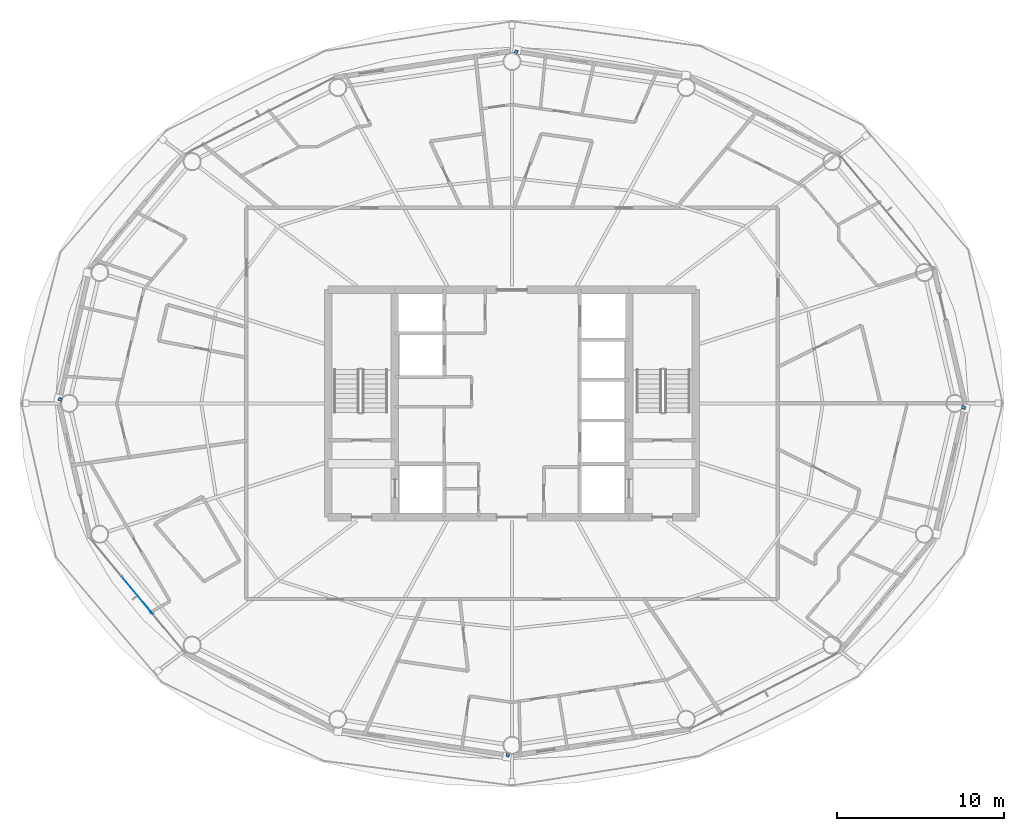
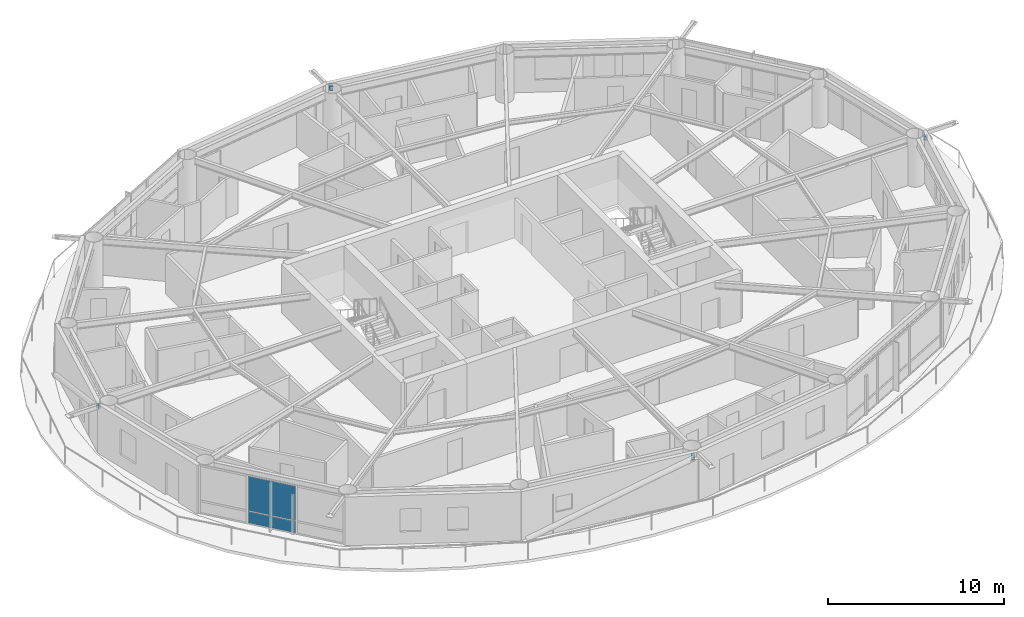
# One storey, part 16 of 29: 4 members, 2 plates, 1 element without a shape of its own.
"""IFC4 building model written with IfcOpenShell, lengths in metres."""

from ifc_helpers import new_model, si_unit, direction, frame, origin, origin_2d, place, context, subcontext, project, spatial, rectangle, hollow_rectangle, extrude, material, layer, layer_set, material_profile, profile_set, type_object, element, aggregate, save


model = new_model("IFC4")

# Units and contexts
model_context = context("Model", 3, precision=1e-05, world=origin(), true_north=direction((0.0, 1.0)))
body_context = subcontext(model_context, "Body", "Model", "MODEL_VIEW")
ifc_project = project(units=[si_unit("LENGTHUNIT", "METRE"), si_unit("AREAUNIT", "SQUARE_METRE"), si_unit("VOLUMEUNIT", "CUBIC_METRE"), si_unit("PLANEANGLEUNIT", "RADIAN"), si_unit("MASSUNIT", "GRAM", prefix="KILO")], contexts=[model_context])

# Site, building, storey
site_placement = place(None, origin())
site = spatial("IfcSite", under=ifc_project, at=site_placement, CompositionType="ELEMENT")
building_placement = place(site_placement, origin())
building = spatial("IfcBuilding", under=site, at=building_placement, Name="Sarneth Arch Tower", CompositionType="ELEMENT")
storey_placement = place(building_placement, frame((0.0, 0.0, 175.800048828125)))
storey = spatial("IfcBuildingStorey", under=building, at=storey_placement, Name="L44", CompositionType="ELEMENT", Elevation=175.800048828125)

# Members
ifc_material_1 = material(Name="Steel S355", Category="steel")
ifc_material_profile = material_profile(ifc_material_1, hollow_rectangle(XDim=0.199951171875, YDim=0.300048828125, WallThickness=0.012451171875, InnerFilletRadius=0.018798828125, OuterFilletRadius=0.03125, at=origin_2d()), Name="RHS300x200x12.5")
ifc_profile_set = profile_set([ifc_material_profile], Name="Steel S355")
member_type = type_object("IfcMemberType", Name="MEM-CANT-STRUT", PredefinedType="STRUT", material=ifc_profile_set)
member_1_placement = place(storey_placement, frame((48.187744140625, 62.883544921875, 3.050537109375), z_axis=(0.397032763308, 0.917804437154, 0.0), x_axis=(-0.917804437154, 0.397032763308, 0.0)))
element("IfcMember", 1, at=member_1_placement, inside=storey, type_object=member_type, Name="L44 Exoskeleton brace node strut 04B", PredefinedType="STRUT", context=body_context, shape_type="SweptSolid", body=[
    extrude(hollow_rectangle(XDim=0.199951171875, YDim=0.300048828125, WallThickness=0.012451171875, InnerFilletRadius=0.018798828125, OuterFilletRadius=0.03125, at=origin_2d()), origin(), (0.0, 0.0, 1.0), 0.274169921875),
])
member_2_placement = place(storey_placement, frame((21.0830078125, 42.19580078125, 3.050537109375), z_axis=(-0.910186836564, 0.414197926777, 0.0), x_axis=(-0.414197926777, -0.910186836564, 0.0)))
element("IfcMember", 2, at=member_2_placement, inside=storey, type_object=member_type, Name="L44 Exoskeleton brace node strut 08B", PredefinedType="STRUT", context=body_context, shape_type="SweptSolid", body=[
    extrude(hollow_rectangle(XDim=0.199951171875, YDim=0.300048828125, WallThickness=0.012451171875, InnerFilletRadius=0.018798828125, OuterFilletRadius=0.03125, at=origin_2d()), origin(), (0.0, 0.0, 1.0), 0.23291015625),
])
member_3_placement = place(storey_placement, frame((47.812255859375, 21.116455078125, 3.050537109375), z_axis=(-0.397032763308, -0.917804437154, 0.0), x_axis=(0.917804437154, -0.397032763308, 0.0)))
element("IfcMember", 3, at=member_3_placement, inside=storey, type_object=member_type, Name="L44 Exoskeleton brace node strut 12B", PredefinedType="STRUT", context=body_context, shape_type="SweptSolid", body=[
    extrude(hollow_rectangle(XDim=0.199951171875, YDim=0.300048828125, WallThickness=0.012451171875, InnerFilletRadius=0.018798828125, OuterFilletRadius=0.03125, at=origin_2d()), origin(), (0.0, 0.0, 1.0), 0.274169921875),
])
member_4_placement = place(storey_placement, frame((74.9169921875, 41.80419921875, 3.050537109375), z_axis=(0.910186836564, -0.414197926777, 0.0), x_axis=(0.414197926777, 0.910186836564, 0.0)))
element("IfcMember", 4, at=member_4_placement, inside=storey, type_object=member_type, Name="L44 Exoskeleton brace node strut 16B", PredefinedType="STRUT", context=body_context, shape_type="SweptSolid", body=[
    extrude(hollow_rectangle(XDim=0.199951171875, YDim=0.300048828125, WallThickness=0.012451171875, InnerFilletRadius=0.018798828125, OuterFilletRadius=0.03125, at=origin_2d()), origin(), (0.0, 0.0, 1.0), 0.23291015625),
])

# Curtain wall, plates
ifc_material_2 = material(Name="Anodised aluminium Type AA25 and solar-control low-e laminated IGU", Category="aluminium")
ifc_layer_1 = layer(ifc_material_2, 0.169921875)
ifc_layer_set_1 = layer_set([ifc_layer_1], Name="Anodised aluminium Type AA25 and solar-control low-e laminated IGU")
curtain_wall_type = type_object("IfcCurtainWallType", Name="CW-RES-MID", PredefinedType="NOTDEFINED", material=ifc_layer_set_1)
curtain_wall_placement = place(storey_placement, origin())
curtain_wall = element("IfcCurtainWall", 5, at=curtain_wall_placement, inside=storey, type_object=curtain_wall_type, Name="L44 Unitised curtain wall facet 10", PredefinedType="NOTDEFINED")
ifc_material_3 = material(Name="Solar-control low-e laminated IGU", Category="glass")
ifc_layer_2 = layer(ifc_material_3, 0.028076171875)
ifc_layer_set_2 = layer_set([ifc_layer_2], Name="Solar-control low-e laminated IGU")
plate_type = type_object("IfcPlateType", Name="CW-PANEL", PredefinedType="CURTAIN_PANEL", material=ifc_layer_set_2)
plate_1_placement = place(storey_placement, frame((25.595703125, 30.513671875, 0.059814453125), z_axis=(0.0, 0.0, 1.0), x_axis=(0.637330298558, -0.770590741276, 0.0)))
plate_1 = element("IfcPlate", 6, at=plate_1_placement, type_object=plate_type, Name="Curtain wall glazed vision pane CW-L44-F10/P01-00", PredefinedType="CURTAIN_PANEL", context=body_context, shape_type="SweptSolid", body=[
    extrude(rectangle(XDim=2.898193359375, YDim=0.028076171875, at=origin_2d()), origin(), (0.0, 0.0, 1.0), 0.81005859375),
])
plate_2_placement = place(storey_placement, frame((25.595703125, 30.513671875, 0.93017578125), z_axis=(0.0, 0.0, 1.0), x_axis=(0.637330298558, -0.770590741276, 0.0)))
plate_2 = element("IfcPlate", 7, at=plate_2_placement, type_object=plate_type, Name="Curtain wall glazed vision pane CW-L44-F10/P01-01", PredefinedType="CURTAIN_PANEL", context=body_context, shape_type="SweptSolid", body=[
    extrude(rectangle(XDim=2.898193359375, YDim=0.028076171875, at=origin_2d()), origin(), (0.0, 0.0, 1.0), 2.389892578125),
])
aggregate(curtain_wall, [plate_1, plate_2])

save(model, "model.ifc")
